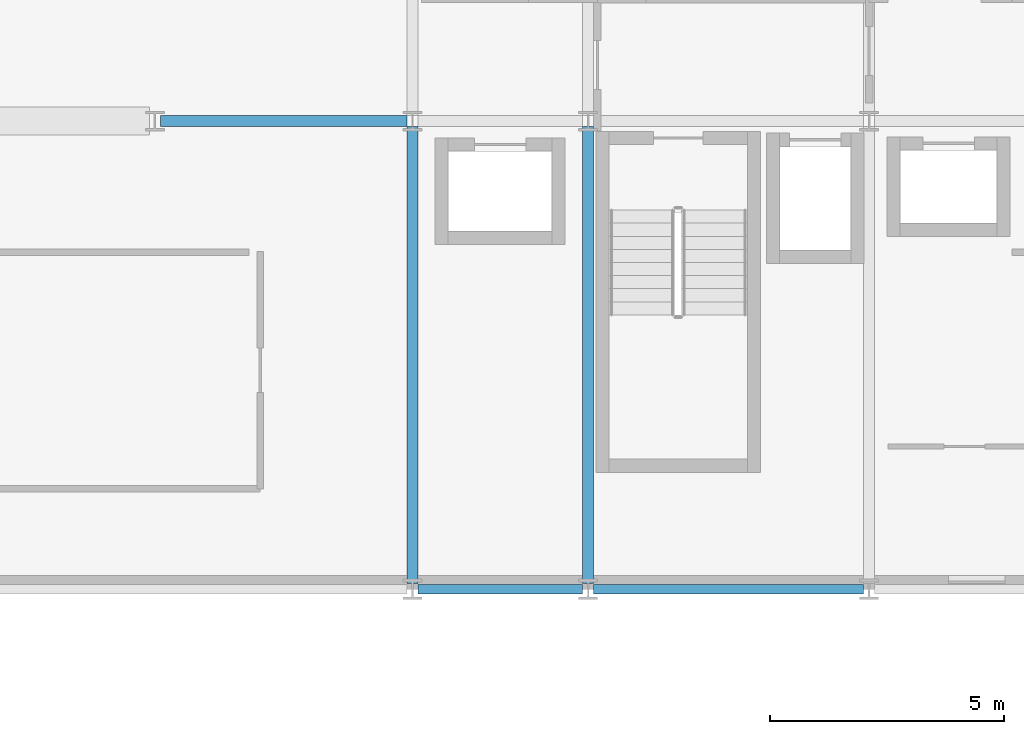
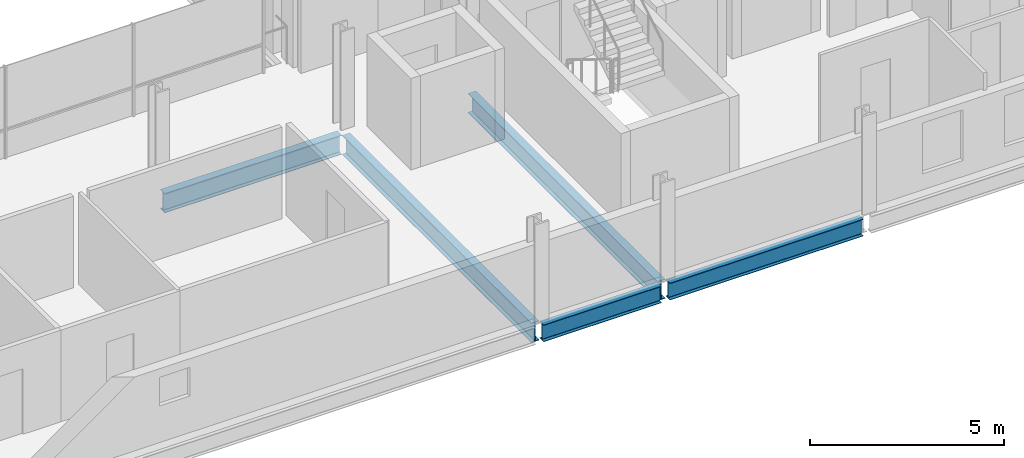
# One storey, part 12 of 41: 5 beams.
"""IFC4 building model written with IfcOpenShell, lengths in metres."""

import ifcopenshell
import ifcopenshell.guid

model = None  # the IFC model being written
_history = None  # IfcOwnerHistory: only IFC2X3 demands one
_inside = {}  # id of a spatial element -> (the spatial element, [elements in it])
_under = {}  # id of a project, library or spatial element -> (it, [spatial elements below it])
_declared = {}  # id of a project -> (the project, [libraries it declares])
_typed = {}  # id of a type object -> (the type object, [elements of that type])
_made_of = {}  # id of a material, layer set ... -> (it, [elements and type objects made of it])


def new_model(schema):
    """Start an empty IFC model of exactly this schema.

    Asked for "IFC4X3", IfcOpenShell would pick the latest addendum, in which some entities
    have other attributes; the version numbers below select the first issue.
    IFC2X3 requires an IfcOwnerHistory on every rooted entity: one is made here for all.
    """
    global model, _history
    if schema == "IFC4X3":
        model = ifcopenshell.file(schema_version=(4, 3, 0, 0))
    else:
        model = ifcopenshell.file(schema=schema)
    _inside.clear()
    _under.clear()
    _declared.clear()
    _typed.clear()
    _made_of.clear()
    _history = None
    if model.schema == "IFC2X3":
        org = make("IfcOrganization", Name="unknown")
        user = make(
            "IfcPersonAndOrganization",
            ThePerson=make("IfcPerson", FamilyName="unknown"),
            TheOrganization=org,
        )
        app = make(
            "IfcApplication",
            ApplicationDeveloper=org,
            Version="unknown",
            ApplicationFullName="unknown",
            ApplicationIdentifier="unknown",
        )
        _history = make(
            "IfcOwnerHistory",
            OwningUser=user,
            OwningApplication=app,
            ChangeAction="ADDED",
            CreationDate=0,
        )
    return model


def make(cls, **values):
    """One entity of the class cls with the attributes given. An attribute that is None is left unset."""
    return model.create_entity(
        cls, **{name: value for name, value in values.items() if value is not None}
    )


def rooted(cls, **values):
    """An entity with a GlobalId (a new one), such as an element, a storey or a relation."""
    return make(cls, GlobalId=ifcopenshell.guid.new(), OwnerHistory=_history, **values)


def si_unit(unit_type, name, prefix=None):
    """IfcSIUnit, for example si_unit("LENGTHUNIT", "METRE", prefix="MILLI")."""
    return make("IfcSIUnit", UnitType=unit_type, Prefix=prefix, Name=name)


def assignment(units):
    """IfcUnitAssignment: the units of a project."""
    return None if units is None else make("IfcUnitAssignment", Units=units)


def point(xyz):
    """IfcCartesianPoint."""
    return None if xyz is None else make("IfcCartesianPoint", Coordinates=xyz)


def direction(xyz):
    """IfcDirection."""
    return None if xyz is None else make("IfcDirection", DirectionRatios=xyz)


def frame(location, z_axis=None, x_axis=None):
    """IfcAxis2Placement3D, a coordinate frame: its origin and axes. An axis left out is left unset."""
    return make(
        "IfcAxis2Placement3D",
        Location=point(location),
        Axis=direction(z_axis),
        RefDirection=direction(x_axis),
    )


def frame_2d(location, x_axis=None):
    """IfcAxis2Placement2D, a coordinate frame in the plane: its origin and x axis."""
    return make(
        "IfcAxis2Placement2D", Location=point(location), RefDirection=direction(x_axis)
    )


def origin():
    """The frame at (0, 0, 0) with its axes left unset."""
    return frame((0.0, 0.0, 0.0))


def origin_2d():
    """The frame at (0, 0) in the plane with its x axis left unset."""
    return frame_2d((0.0, 0.0))


def place(relative_to, where):
    """IfcLocalPlacement: puts the frame where relative to a parent placement (None: the world)."""
    return make(
        "IfcLocalPlacement", PlacementRelTo=relative_to, RelativePlacement=where
    )


def context(
    kind, dimensions, precision=None, world=None, true_north=None, identifier=None
):
    """IfcGeometricRepresentationContext, for example the 3D "Model" context."""
    return make(
        "IfcGeometricRepresentationContext",
        ContextIdentifier=identifier,
        ContextType=kind,
        CoordinateSpaceDimension=dimensions,
        Precision=precision,
        WorldCoordinateSystem=world,
        TrueNorth=true_north,
    )


def subcontext(parent, identifier, kind, view, scale=None):
    """IfcGeometricRepresentationSubContext, for example "Body" below "Model"."""
    return make(
        "IfcGeometricRepresentationSubContext",
        ContextIdentifier=identifier,
        ContextType=kind,
        ParentContext=parent,
        TargetScale=scale,
        TargetView=view,
    )


def project(units=None, contexts=None):
    """IfcProject with its units and contexts."""
    return rooted(
        "IfcProject",
        Name="project",
        RepresentationContexts=contexts,
        UnitsInContext=assignment(units),
    )


def spatial(cls, under=None, at=None, **own):
    """A site, building, storey or space (cls), placed at a placement, below another one or the project."""
    s = rooted(cls, ObjectPlacement=at, **own)
    if under is not None:
        _under.setdefault(under.id(), (under, []))[1].append(s)
    return s


def profile(cls, at=None, kind="AREA", **sizes):
    """A parametric profile (cls). Its sizes go by their IFC names, for example OverallWidth=200.0."""
    return make(cls, ProfileType=kind, Position=at, **sizes)


def i_section(**sizes):
    """IfcIShapeProfileDef."""
    return profile("IfcIShapeProfileDef", **sizes)


def extrude(swept, where, along, depth):
    """IfcExtrudedAreaSolid: the profile swept, set in the frame where, extruded along a direction by depth."""
    return make(
        "IfcExtrudedAreaSolid",
        SweptArea=swept,
        Position=where,
        ExtrudedDirection=direction(along),
        Depth=depth,
    )


def shape(context_of_items, identifier, shape_type, items):
    """IfcShapeRepresentation: the items that make up one representation, for example the "Body"."""
    return make(
        "IfcShapeRepresentation",
        ContextOfItems=context_of_items,
        RepresentationIdentifier=identifier,
        RepresentationType=shape_type,
        Items=items,
    )


def material(Name=None, Category=None):
    """IfcMaterial."""
    return make("IfcMaterial", Name=Name, Category=Category)


def material_profile(
    of_material, cross_section, Name=None, Category=None, Priority=None
):
    """IfcMaterialProfile: a cross section and its material."""
    return make(
        "IfcMaterialProfile",
        Name=Name,
        Material=of_material,
        Profile=cross_section,
        Priority=Priority,
        Category=Category,
    )


def profile_set(profiles, Name=None, composite=None):
    """IfcMaterialProfileSet."""
    return make(
        "IfcMaterialProfileSet",
        Name=Name,
        MaterialProfiles=profiles,
        CompositeProfile=composite,
    )


def made_of(thing, what):
    """Note that an element or type object is made of a material, layer set ...; save() writes the relation."""
    if what is not None:
        _made_of.setdefault(what.id(), (what, []))[1].append(thing)
    return thing


def type_object(cls, material=None, **own):
    """A type object (cls), such as IfcWallType, which elements share."""
    return made_of(rooted(cls, **own), material)


def element(
    cls,
    number,
    at=None,
    inside=None,
    cuts=None,
    type_object=None,
    material=None,
    context=None,
    identifier="Body",
    shape_type=None,
    held_by="IfcProductDefinitionShape",
    body=None,
    shapes=None,
    **own,
):
    """One element of the class cls, such as IfcWall. Its Tag is "e" and its number.

    at: its placement. inside: the storey or other place that contains it. cuts: it is an
    opening in that element (IfcRelVoidsElement). A single representation is given by context,
    identifier, shape_type and body (its items); several are given by shapes. held_by: the class
    of the entity that holds the representations. save() writes the other relations.
    """
    e = rooted(cls, Tag="e%d" % number, ObjectPlacement=at, **own)
    if body is not None:
        shapes = [shape(context, identifier, shape_type, body)]
    if shapes is not None:
        e.Representation = make(held_by, Representations=shapes)
    if inside is not None:
        _inside.setdefault(inside.id(), (inside, []))[1].append(e)
    if cuts is not None:
        rooted(
            "IfcRelVoidsElement", RelatingBuildingElement=cuts, RelatedOpeningElement=e
        )
    if type_object is not None:
        _typed.setdefault(type_object.id(), (type_object, []))[1].append(e)
    return made_of(e, material)


def aggregate(whole, parts):
    """IfcRelAggregates: a whole, such as a stair, and the parts it consists of."""
    return rooted("IfcRelAggregates", RelatingObject=whole, RelatedObjects=parts)


def save(model, path):
    """Write the relations noted so far, then the file.

    IfcRelAggregates (storeys below a building ...), IfcRelContainedInSpatialStructure (elements
    in a storey), IfcRelDefinesByType, IfcRelAssociatesMaterial and IfcRelDeclares: one each for
    every whole, place, type object, material and project.
    """
    for whole, parts in _under.values():
        aggregate(whole, parts)
    for where, things in _inside.values():
        rooted(
            "IfcRelContainedInSpatialStructure",
            RelatedElements=things,
            RelatingStructure=where,
        )
    for kind, things in _typed.values():
        rooted("IfcRelDefinesByType", RelatedObjects=things, RelatingType=kind)
    for what, things in _made_of.values():
        rooted("IfcRelAssociatesMaterial", RelatedObjects=things, RelatingMaterial=what)
    for by, libraries in _declared.values():
        rooted("IfcRelDeclares", RelatingContext=by, RelatedDefinitions=libraries)
    model.write(path)


model = new_model("IFC4")

# Units and contexts
model_context = context("Model", 3, precision=1e-05, world=origin(), true_north=direction((0.0, 1.0)))
body_context = subcontext(model_context, "Body", "Model", "MODEL_VIEW")
ifc_project = project(units=[si_unit("LENGTHUNIT", "METRE"), si_unit("AREAUNIT", "SQUARE_METRE"), si_unit("VOLUMEUNIT", "CUBIC_METRE"), si_unit("PLANEANGLEUNIT", "RADIAN"), si_unit("MASSUNIT", "GRAM", prefix="KILO")], contexts=[model_context])

# Site, building, storey
site_placement = place(None, origin())
site = spatial("IfcSite", under=ifc_project, at=site_placement, CompositionType="ELEMENT")
building_placement = place(site_placement, origin())
building = spatial("IfcBuilding", under=site, at=building_placement, Name="Brevholm Reach", CompositionType="ELEMENT")
storey_placement = place(building_placement, frame((0.0, 0.0, 106.60009765625)))
storey = spatial("IfcBuildingStorey", under=building, at=storey_placement, Name="L31", CompositionType="ELEMENT", Elevation=106.60009765625)

# Beams
ifc_material_1 = material(Name="Structural Steel S355J2", Category="steel")
ifc_material_profile_1 = material_profile(ifc_material_1, i_section(OverallWidth=0.209228515625, OverallDepth=0.533203125, WebThickness=0.010009765625, FlangeThickness=0.015625, FilletRadius=0.0126953125, at=origin_2d()), Name="UKB 533x210x92")
ifc_profile_set_1 = profile_set([ifc_material_profile_1], Name="Structural Steel S355J2")
beam_type_1 = type_object("IfcBeamType", Name="BM-SP533", PredefinedType="SPANDREL", material=ifc_profile_set_1)
beam_1_placement = place(storey_placement, frame((38.3701171875, 0.0, -0.486572265625), z_axis=(1.0, 0.0, 0.0), x_axis=(0.0, 1.0, 0.0)))
element("IfcBeam", 1, at=beam_1_placement, inside=storey, type_object=beam_type_1, Name="L31 SP-02 Framing Beam", PredefinedType="SPANDREL", context=body_context, shape_type="SweptSolid", body=[
    extrude(i_section(OverallWidth=0.209228515625, OverallDepth=0.533203125, WebThickness=0.010009765625, FlangeThickness=0.015625, FilletRadius=0.0126953125, at=origin_2d()), origin(), (0.0, 0.0, 1.0), 3.509765625),
])
beam_2_placement = place(storey_placement, frame((42.1201171875, 0.0, -0.486572265625), z_axis=(1.0, 0.0, 0.0), x_axis=(0.0, 1.0, 0.0)))
element("IfcBeam", 2, at=beam_2_placement, inside=storey, type_object=beam_type_1, Name="L31 SP-02 Framing Beam", PredefinedType="SPANDREL", context=body_context, shape_type="SweptSolid", body=[
    extrude(i_section(OverallWidth=0.209228515625, OverallDepth=0.533203125, WebThickness=0.010009765625, FlangeThickness=0.015625, FilletRadius=0.0126953125, at=origin_2d()), origin(), (0.0, 0.0, 1.0), 5.759765625),
])
ifc_material_2 = material(Name="Structural Steel S355J2", Category="steel")
ifc_material_profile_2 = material_profile(ifc_material_2, i_section(OverallWidth=0.22900390625, OverallDepth=0.6123046875, WebThickness=0.011962890625, FlangeThickness=0.01953125, FilletRadius=0.0126953125, at=origin_2d()), Name="UKB 610x229x125")
ifc_profile_set_2 = profile_set([ifc_material_profile_2], Name="Structural Steel S355J2")
beam_type_2 = type_object("IfcBeamType", Name="BM-SP610", PredefinedType="SPANDREL", material=ifc_profile_set_2)
beam_3_placement = place(storey_placement, frame((32.8701171875, 10.0, -0.526123046875), z_axis=(1.0, 0.0, 0.0), x_axis=(0.0, 1.0, 0.0)))
element("IfcBeam", 3, at=beam_3_placement, inside=storey, type_object=beam_type_2, Name="L31 SP-01 Framing Beam", PredefinedType="SPANDREL", context=body_context, shape_type="SweptSolid", body=[
    extrude(i_section(OverallWidth=0.22900390625, OverallDepth=0.6123046875, WebThickness=0.011962890625, FlangeThickness=0.01953125, FilletRadius=0.0126953125, at=origin_2d()), origin(), (0.0, 0.0, 1.0), 5.259765625),
])
for number, where, z_axis, x_axis, name in (
    (4, (38.25, 0.1201171875, -0.526123046875), (0.0, 1.0, 0.0), (-1.0, 0.0, 0.0), "L31 SP-01 Framing Beam"),
    (5, (42.0, 0.1201171875, -0.526123046875), (0.0, 1.0, 0.0), (-1.0, 0.0, 0.0), "L31 SP-01 Framing Beam"),
):
    element("IfcBeam", number, at=place(storey_placement, frame(where, z_axis=z_axis, x_axis=x_axis)), inside=storey, type_object=beam_type_2, Name=name, PredefinedType="SPANDREL", context=body_context, shape_type="SweptSolid", body=[
        extrude(i_section(OverallWidth=0.22900390625, OverallDepth=0.6123046875, WebThickness=0.011962890625, FlangeThickness=0.01953125, FilletRadius=0.0126953125, at=origin_2d()), origin(), (0.0, 0.0, 1.0), 9.759765625),
    ])

save(model, "model.ifc")
